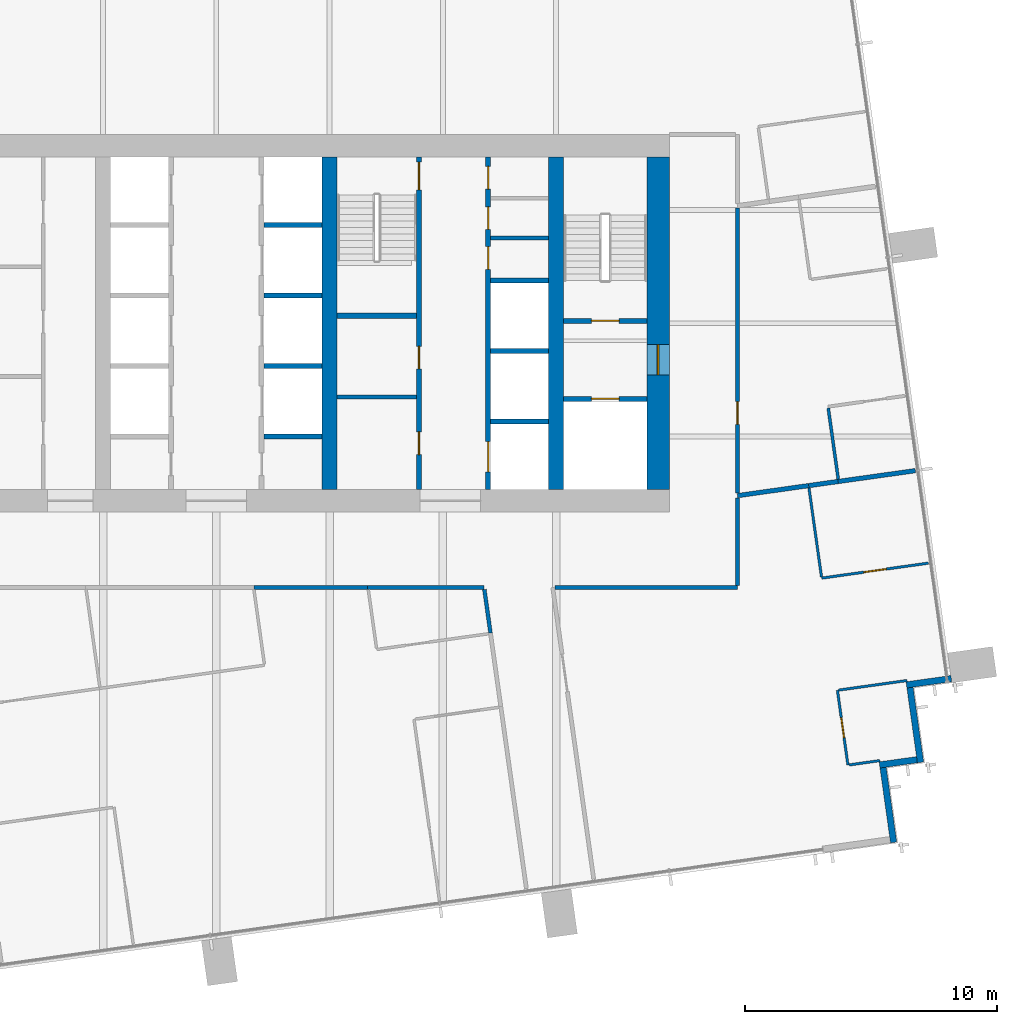
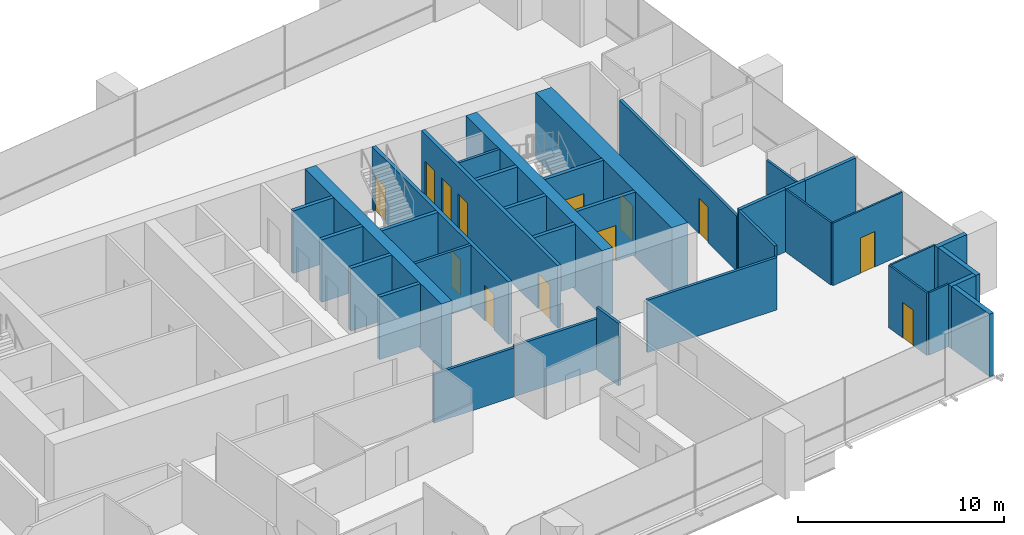
# One storey, part 11 of 14: 36 walls, 13 doors, 13 openings.
"""IFC4 building model written with IfcOpenShell, lengths in metres."""

from ifc_helpers import new_model, si_unit, direction, frame, frame_2d, origin, place, context, subcontext, project, spatial, rectangle, extrude, material, layer, layer_set, type_object, element, fill, save


model = new_model("IFC4")

# Units and contexts
model_context = context("Model", 3, precision=1e-05, world=origin(), true_north=direction((0.0, 1.0)))
body_context = subcontext(model_context, "Body", "Model", "MODEL_VIEW")
ifc_project = project(units=[si_unit("LENGTHUNIT", "METRE"), si_unit("AREAUNIT", "SQUARE_METRE"), si_unit("VOLUMEUNIT", "CUBIC_METRE"), si_unit("PLANEANGLEUNIT", "RADIAN"), si_unit("MASSUNIT", "GRAM", prefix="KILO")], contexts=[model_context])

# Site, building, storey
site_placement = place(None, origin())
site = spatial("IfcSite", under=ifc_project, at=site_placement, CompositionType="ELEMENT")
building_placement = place(site_placement, origin())
building = spatial("IfcBuilding", under=site, at=building_placement, Name="Rattan Terrace Tower", CompositionType="ELEMENT")
storey_placement = place(building_placement, frame((0.0, 0.0, 184.10009765625)))
storey = spatial("IfcBuildingStorey", under=building, at=storey_placement, Name="L42", CompositionType="ELEMENT", Elevation=184.10009765625)

# Walls
ifc_material_1 = material(Name="Gypsum board partition")
ifc_layer_1 = layer(ifc_material_1, 0.14990234375)
ifc_layer_set_1 = layer_set([ifc_layer_1], Name="Core partition 150")
wall_type_1 = type_object("IfcWallType", Name="Core partition 150", PredefinedType="PARTITIONING", material=ifc_layer_set_1)
wall_1_placement = place(storey_placement, frame((4.800048828125, -2.927978515625, 0.0), z_axis=(0.0, 0.0, 1.0), x_axis=(1.0, 0.0, 0.0)))
element("IfcWall", 1, at=wall_1_placement, inside=storey, type_object=wall_type_1, Name="Toilet wall", PredefinedType="PARTITIONING", context=body_context, shape_type="SweptSolid", body=[
    extrude(rectangle(XDim=3.14990234375, YDim=0.14990234375, at=frame_2d((1.574951171875, 0.0))), origin(), (0.0, 0.0, 1.0), 3.699951171875),
])
wall_2_placement = place(storey_placement, frame((10.89990234375, 3.384033203125, 0.0), z_axis=(0.0, 0.0, 1.0), x_axis=(1.0, 0.0, 0.0)))
element("IfcWall", 2, at=wall_2_placement, inside=storey, type_object=wall_type_1, Name="Riser room wall", PredefinedType="PARTITIONING", context=body_context, shape_type="SweptSolid", body=[
    extrude(rectangle(XDim=2.300048828125, YDim=0.14990234375, at=frame_2d((1.14990234375, 0.0))), origin(), (0.0, 0.0, 1.0), 3.699951171875),
])

# Wall, opening, door
ifc_material_2 = material(Name="Gypsum board partition")
ifc_layer_2 = layer(ifc_material_2, 0.199951171875)
ifc_layer_set_2 = layer_set([ifc_layer_2], Name="Core partition 200")
wall_type_2 = type_object("IfcWallType", Name="Core partition 200", PredefinedType="PARTITIONING", material=ifc_layer_set_2)
wall_3_placement = place(storey_placement, frame((13.800048828125, -3.0, 0.0), z_axis=(0.0, 0.0, 1.0), x_axis=(1.0, 0.0, 0.0)))
wall_3 = element("IfcWall", 3, at=wall_3_placement, inside=storey, type_object=wall_type_2, Name="Fire-fighting lobby wall", PredefinedType="PARTITIONING", context=body_context, shape_type="SweptSolid", body=[
    extrude(rectangle(XDim=3.300048828125, YDim=0.199951171875, at=frame_2d((1.64990234375, 0.0))), origin(), (0.0, 0.0, 1.0), 3.699951171875),
])
opening_1_placement = place(wall_3_placement, frame((1.10009765625, 0.0, 0.0)))
opening_1 = element("IfcOpeningElement", 4, at=opening_1_placement, cuts=wall_3, Name="Opening L42-LD-FF2", PredefinedType="OPENING", context=body_context, shape_type="SweptSolid", body=[
    extrude(rectangle(XDim=1.10009765625, YDim=2.10009765625, at=frame_2d((0.550048828125, 1.050048828125))), frame((0.0, 0.110595703125, 0.0), z_axis=(0.0, -1.0, 0.0), x_axis=(1.0, 0.0, 0.0)), (0.0, 0.0, 1.0), 0.220947265625),
])
ifc_material_3 = material(Name="Brushed stainless landing door panel")
door_type_1 = type_object("IfcDoorType", Name="Core lift landing door 1100", OperationType="DOUBLE_DOOR_SLIDING", PredefinedType="DOOR", material=ifc_material_3)
door_1_placement = place(opening_1_placement, origin())
door_1 = element("IfcDoor", 5, at=door_1_placement, inside=storey, type_object=door_type_1, Name="Door L42-LD-FF2", OperationType="DOUBLE_DOOR_SLIDING", OverallHeight=2.10009765625, OverallWidth=1.10009765625, PredefinedType="DOOR", context=body_context, shape_type="SweptSolid", body=[
    extrude(rectangle(XDim=1.10009765625, YDim=2.10009765625, at=frame_2d((0.550048828125, 1.050048828125))), frame((0.0, 0.02490234375, 0.0), z_axis=(0.0, -1.0, 0.0), x_axis=(1.0, 0.0, 0.0)), (0.0, 0.0, 1.0), 0.050048828125),
])
fill(opening_1, door_1)

wall_4_placement = place(storey_placement, frame((13.800048828125, 0.10009765625, 0.0), z_axis=(0.0, 0.0, 1.0), x_axis=(1.0, 0.0, 0.0)))
wall_4 = element("IfcWall", 6, at=wall_4_placement, inside=storey, type_object=wall_type_2, Name="Stair enclosure wall", PredefinedType="PARTITIONING", context=body_context, shape_type="SweptSolid", body=[
    extrude(rectangle(XDim=3.300048828125, YDim=0.199951171875, at=frame_2d((1.64990234375, 0.0))), origin(), (0.0, 0.0, 1.0), 3.699951171875),
])
opening_2_placement = place(wall_4_placement, frame((1.10009765625, 0.0, 0.0)))
opening_2 = element("IfcOpeningElement", 7, at=opening_2_placement, cuts=wall_4, Name="Opening L42-D004", PredefinedType="OPENING", context=body_context, shape_type="SweptSolid", body=[
    extrude(rectangle(XDim=1.10009765625, YDim=2.10009765625, at=frame_2d((0.550048828125, 1.050048828125))), frame((0.0, 0.110595703125, 0.0), z_axis=(0.0, -1.0, 0.0), x_axis=(1.0, 0.0, 0.0)), (0.0, 0.0, 1.0), 0.220947265625),
])
ifc_material_4 = material(Name="Hollow-metal fire door leaf")
door_type_2 = type_object("IfcDoorType", Name="Core stair door 1100", OperationType="NOTDEFINED", PredefinedType="DOOR", material=ifc_material_4)
door_2_placement = place(opening_2_placement, origin())
door_2 = element("IfcDoor", 8, at=door_2_placement, inside=storey, type_object=door_type_2, Name="Door L42-D004", OperationType="SINGLE_SWING_RIGHT", OverallHeight=2.10009765625, OverallWidth=1.10009765625, PredefinedType="DOOR", context=body_context, shape_type="SweptSolid", body=[
    extrude(rectangle(XDim=1.10009765625, YDim=2.10009765625, at=frame_2d((0.550048828125, 1.050048828125))), frame((0.0, 0.02490234375, 0.0), z_axis=(0.0, -1.0, 0.0), x_axis=(1.0, 0.0, 0.0)), (0.0, 0.0, 1.0), 0.050048828125),
])
fill(opening_2, door_2)

# Wall, openings, doors
wall_5_placement = place(storey_placement, frame((8.050048828125, -6.60009765625, 0.0), z_axis=(0.0, 0.0, 1.0), x_axis=(0.0, 1.0, 0.0)))
wall_5 = element("IfcWall", 9, at=wall_5_placement, inside=storey, type_object=wall_type_2, Name="Lobby wall west", PredefinedType="PARTITIONING", context=body_context, shape_type="SweptSolid", body=[
    extrude(rectangle(XDim=13.2001953125, YDim=0.199951171875, at=frame_2d((6.60009765625, 0.0))), origin(), (0.0, 0.0, 1.0), 3.699951171875),
])
opening_3_placement = place(wall_5_placement, frame((1.385986328125, 0.0, 0.0)))
opening_3 = element("IfcOpeningElement", 10, at=opening_3_placement, cuts=wall_5, Name="Opening L42-D012", PredefinedType="OPENING", context=body_context, shape_type="SweptSolid", body=[
    extrude(rectangle(XDim=0.89990234375, YDim=2.10009765625, at=frame_2d((0.449951171875, 1.050048828125))), frame((0.0, 0.110595703125, 0.0), z_axis=(0.0, -1.0, 0.0), x_axis=(1.0, 0.0, 0.0)), (0.0, 0.0, 1.0), 0.220947265625),
])
opening_4_placement = place(wall_5_placement, frame((4.785888671875, 0.0, 0.0)))
opening_4 = element("IfcOpeningElement", 11, at=opening_4_placement, cuts=wall_5, Name="Opening L42-D013", PredefinedType="OPENING", context=body_context, shape_type="SweptSolid", body=[
    extrude(rectangle(XDim=0.89990234375, YDim=2.10009765625, at=frame_2d((0.449951171875, 1.050048828125))), frame((0.0, 0.110595703125, 0.0), z_axis=(0.0, -1.0, 0.0), x_axis=(1.0, 0.0, 0.0)), (0.0, 0.0, 1.0), 0.220947265625),
])
opening_5_placement = place(wall_5_placement, frame((11.89990234375, 0.0, 0.0)))
opening_5 = element("IfcOpeningElement", 12, at=opening_5_placement, cuts=wall_5, Name="Opening L42-D014", PredefinedType="OPENING", context=body_context, shape_type="SweptSolid", body=[
    extrude(rectangle(XDim=1.10009765625, YDim=2.10009765625, at=frame_2d((0.550048828125, 1.050048828125))), frame((0.0, 0.110595703125, 0.0), z_axis=(0.0, -1.0, 0.0), x_axis=(1.0, 0.0, 0.0)), (0.0, 0.0, 1.0), 0.220947265625),
])
door_3_placement = place(opening_5_placement, origin())
door_3 = element("IfcDoor", 13, at=door_3_placement, inside=storey, type_object=door_type_2, Name="Door L42-D014", OperationType="SINGLE_SWING_LEFT", OverallHeight=2.10009765625, OverallWidth=1.10009765625, PredefinedType="DOOR", context=body_context, shape_type="SweptSolid", body=[
    extrude(rectangle(XDim=1.10009765625, YDim=2.10009765625, at=frame_2d((0.550048828125, 1.050048828125))), frame((0.0, 0.02490234375, 0.0), z_axis=(0.0, -1.0, 0.0), x_axis=(1.0, 0.0, 0.0)), (0.0, 0.0, 1.0), 0.050048828125),
])
fill(opening_5, door_3)
ifc_material_5 = material(Name="Hollow-metal fire door leaf")
door_type_3 = type_object("IfcDoorType", Name="Core toilet door 900", OperationType="NOTDEFINED", PredefinedType="DOOR", material=ifc_material_5)
door_4_placement = place(opening_3_placement, origin())
door_4 = element("IfcDoor", 14, at=door_4_placement, inside=storey, type_object=door_type_3, Name="Door L42-D012", OperationType="SINGLE_SWING_LEFT", OverallHeight=2.10009765625, OverallWidth=0.89990234375, PredefinedType="DOOR", context=body_context, shape_type="SweptSolid", body=[
    extrude(rectangle(XDim=0.89990234375, YDim=2.10009765625, at=frame_2d((0.449951171875, 1.050048828125))), frame((0.0, 0.02490234375, 0.0), z_axis=(0.0, -1.0, 0.0), x_axis=(1.0, 0.0, 0.0)), (0.0, 0.0, 1.0), 0.050048828125),
])
fill(opening_3, door_4)
door_5_placement = place(opening_4_placement, origin())
door_5 = element("IfcDoor", 15, at=door_5_placement, inside=storey, type_object=door_type_3, Name="Door L42-D013", OperationType="SINGLE_SWING_RIGHT", OverallHeight=2.10009765625, OverallWidth=0.89990234375, PredefinedType="DOOR", context=body_context, shape_type="SweptSolid", body=[
    extrude(rectangle(XDim=0.89990234375, YDim=2.10009765625, at=frame_2d((0.449951171875, 1.050048828125))), frame((0.0, 0.02490234375, 0.0), z_axis=(0.0, -1.0, 0.0), x_axis=(1.0, 0.0, 0.0)), (0.0, 0.0, 1.0), 0.050048828125),
])
fill(opening_4, door_5)

# Wall
wall_6_placement = place(storey_placement, frame((4.800048828125, 0.300048828125, 0.0), z_axis=(0.0, 0.0, 1.0), x_axis=(1.0, 0.0, 0.0)))
element("IfcWall", 16, at=wall_6_placement, inside=storey, type_object=wall_type_2, Name="Stair enclosure wall", PredefinedType="PARTITIONING", context=body_context, shape_type="SweptSolid", body=[
    extrude(rectangle(XDim=3.14990234375, YDim=0.199951171875, at=frame_2d((1.574951171875, 0.0))), origin(), (0.0, 0.0, 1.0), 3.699951171875),
])

# Wall, opening, door
ifc_material_6 = material(Name="Concrete C60/75", Category="concrete")
ifc_layer_3 = layer(ifc_material_6, 0.89990234375)
ifc_layer_set_3 = layer_set([ifc_layer_3], Name="Core ring wall 900 C60/75")
wall_type_3 = type_object("IfcWallType", Name="Core ring wall 900 C60/75", PredefinedType="SHEAR", material=ifc_layer_set_3)
wall_7_placement = place(storey_placement, frame((17.550048828125, -6.60009765625, -0.2001953125), z_axis=(0.0, 0.0, 1.0), x_axis=(0.0, 1.0, 0.0)))
wall_7 = element("IfcWall", 17, at=wall_7_placement, inside=storey, type_object=wall_type_3, Name="Rear core wall east", PredefinedType="SHEAR", context=body_context, shape_type="SweptSolid", body=[
    extrude(rectangle(XDim=13.2001953125, YDim=0.89990234375, at=frame_2d((6.60009765625, 0.0))), origin(), (0.0, 0.0, 1.0), 3.900146484375),
])
opening_6_placement = place(wall_7_placement, frame((4.550048828125, 0.0, 0.199951171875)))
opening_6 = element("IfcOpeningElement", 18, at=opening_6_placement, cuts=wall_7, Name="Opening L42-D003", PredefinedType="OPENING", context=body_context, shape_type="SweptSolid", body=[
    extrude(rectangle(XDim=1.199951171875, YDim=2.10009765625, at=frame_2d((0.60009765625, 1.050048828125))), frame((0.0, 0.46044921875, 0.0), z_axis=(0.0, -1.0, 0.0), x_axis=(1.0, 0.0, 0.0)), (0.0, 0.0, 1.0), 0.9208984375),
])
ifc_material_7 = material(Name="Hollow-metal fire door leaf")
door_type_4 = type_object("IfcDoorType", Name="Core fire-fighting lobby door 1200", OperationType="NOTDEFINED", PredefinedType="DOOR", material=ifc_material_7)
door_6_placement = place(opening_6_placement, origin())
door_6 = element("IfcDoor", 19, at=door_6_placement, inside=storey, type_object=door_type_4, Name="Door L42-D003", OperationType="SINGLE_SWING_LEFT", OverallHeight=2.10009765625, OverallWidth=1.199951171875, PredefinedType="DOOR", context=body_context, shape_type="SweptSolid", body=[
    extrude(rectangle(XDim=1.199951171875, YDim=2.10009765625, at=frame_2d((0.60009765625, 1.050048828125))), frame((0.0, 0.02490234375, 0.0), z_axis=(0.0, -1.0, 0.0), x_axis=(1.0, 0.0, 0.0)), (0.0, 0.0, 1.0), 0.050048828125),
])
fill(opening_6, door_6)

# Walls
ifc_material_8 = material(Name="Concrete C60/75", Category="concrete")
ifc_layer_4 = layer(ifc_material_8, 0.60009765625)
ifc_layer_set_4 = layer_set([ifc_layer_4], Name="Core spine wall 600 C60/75")
wall_type_4 = type_object("IfcWallType", Name="Core spine wall 600 C60/75", PredefinedType="SHEAR", material=ifc_layer_set_4)
for number, where, z_axis, x_axis, name in (
    (20, (4.5, -6.60009765625, -0.2001953125), (0.0, 0.0, 1.0), (0.0, 1.0, 0.0), "Core spine wall 3"),
    (21, (13.5, -6.60009765625, -0.2001953125), (0.0, 0.0, 1.0), (0.0, 1.0, 0.0), "Core spine wall 4"),
):
    element("IfcWall", number, at=place(storey_placement, frame(where, z_axis=z_axis, x_axis=x_axis)), inside=storey, type_object=wall_type_4, Name=name, PredefinedType="SHEAR", context=body_context, shape_type="SweptSolid", body=[
        extrude(rectangle(XDim=13.2001953125, YDim=0.60009765625, at=frame_2d((6.60009765625, 0.0))), origin(), (0.0, 0.0, 1.0), 3.900146484375),
    ])
ifc_material_9 = material(Name="Insulated aluminium-clad stud wall", Category="aluminium")
ifc_layer_5 = layer(ifc_material_9, 0.25)
ifc_layer_set_5 = layer_set([ifc_layer_5], Name="Facade Riser Wall 250")
wall_type_5 = type_object("IfcWallType", Name="Facade Riser Wall 250", PredefinedType="SOLIDWALL", material=ifc_layer_set_5)
wall_8_placement = place(storey_placement, frame((26.9052734375, -20.6220703125, 0.0), z_axis=(0.0, 0.0, 1.0), x_axis=(-0.139313431826, 0.990248336385, 0.0)))
element("IfcWall", 22, at=wall_8_placement, inside=storey, type_object=wall_type_5, Name="Riser wall L42-2", PredefinedType="SOLIDWALL", context=body_context, shape_type="SweptSolid", body=[
    extrude(rectangle(XDim=3.000244140625, YDim=0.25, at=frame_2d((1.5, 0.0))), origin(), (0.0, 0.0, 1.0), 3.699951171875),
])
wall_9_placement = place(storey_placement, frame((26.34619140625, -17.54443359375, 0.0), z_axis=(0.0, 0.0, 1.0), x_axis=(0.990368090482, 0.13845954411, 0.0)))
element("IfcWall", 23, at=wall_9_placement, inside=storey, type_object=wall_type_5, Name="Riser wall L42-3", PredefinedType="SOLIDWALL", context=body_context, shape_type="SweptSolid", body=[
    extrude(rectangle(XDim=1.50048828125, YDim=0.25, at=frame_2d((0.750244140625, 0.0))), origin(), (0.0, 0.0, 1.0), 3.699951171875),
])
wall_10_placement = place(storey_placement, frame((27.973388671875, -17.443115234375, 0.0), z_axis=(0.0, 0.0, 1.0), x_axis=(-0.139313431826, 0.990248336385, 0.0)))
element("IfcWall", 24, at=wall_10_placement, inside=storey, type_object=wall_type_5, Name="Riser wall L42-4", PredefinedType="SOLIDWALL", context=body_context, shape_type="SweptSolid", body=[
    extrude(rectangle(XDim=3.000244140625, YDim=0.25, at=frame_2d((1.5, 0.0))), origin(), (0.0, 0.0, 1.0), 3.699951171875),
])
wall_11_placement = place(storey_placement, frame((27.414306640625, -14.36572265625, 0.0), z_axis=(0.0, 0.0, 1.0), x_axis=(0.990256286673, 0.139256908998, 0.0)))
element("IfcWall", 25, at=wall_11_placement, inside=storey, type_object=wall_type_5, Name="Riser wall L42-5", PredefinedType="SOLIDWALL", context=body_context, shape_type="SweptSolid", body=[
    extrude(rectangle(XDim=1.800537109375, YDim=0.25, at=frame_2d((0.900390625, 0.0))), origin(), (0.0, 0.0, 1.0), 3.699951171875),
])
ifc_material_10 = material(Name="Double steel stud acoustic partition, gypsum board, mineral wool, fire rated", Category="steel")
ifc_layer_6 = layer(ifc_material_10, 0.179931640625)
ifc_layer_set_6 = layer_set([ifc_layer_6], Name="Floors Acoustic Party Wall 180")
wall_type_6 = type_object("IfcWallType", Name="Floors Acoustic Party Wall 180", PredefinedType="PARTITIONING", material=ifc_layer_set_6)
wall_12_placement = place(storey_placement, frame((20.699951171875, -6.846923828125, 0.0), z_axis=(0.0, 0.0, 1.0), x_axis=(0.990258051292, 0.139244360214, 0.0)))
element("IfcWall", 26, at=wall_12_placement, inside=storey, type_object=wall_type_6, Name="pt-L42-036", PredefinedType="PARTITIONING", context=body_context, shape_type="SweptSolid", body=[
    extrude(rectangle(XDim=2.85791015625, YDim=0.179931640625, at=frame_2d((1.428955078125, 0.0))), origin(), (0.0, 0.0, 1.0), 3.699951171875),
])
wall_13_placement = place(storey_placement, frame((23.530029296875, -6.448974609375, 0.0), z_axis=(0.0, 0.0, 1.0), x_axis=(0.990293977152, 0.138988628372, 0.0)))
element("IfcWall", 27, at=wall_13_placement, inside=storey, type_object=wall_type_6, Name="pt-L42-037", PredefinedType="PARTITIONING", context=body_context, shape_type="SweptSolid", body=[
    extrude(rectangle(XDim=1.180419921875, YDim=0.179931640625, at=frame_2d((0.59033203125, 0.0))), origin(), (0.0, 0.0, 1.0), 3.699951171875),
])
wall_14_placement = place(storey_placement, frame((24.698974609375, -6.284912109375, 0.0), z_axis=(0.0, 0.0, 1.0), x_axis=(0.990293026317, 0.138995402899, 0.0)))
element("IfcWall", 28, at=wall_14_placement, inside=storey, type_object=wall_type_6, Name="pt-L42-038", PredefinedType="PARTITIONING", context=body_context, shape_type="SweptSolid", body=[
    extrude(rectangle(XDim=3.10009765625, YDim=0.179931640625, at=frame_2d((1.550048828125, 0.0))), origin(), (0.0, 0.0, 1.0), 3.699951171875),
])

# Wall, opening, door
ifc_material_11 = material(Name="Gypsum board partition on steel studs", Category="steel")
ifc_layer_7 = layer(ifc_material_11, 0.10009765625)
ifc_layer_set_7 = layer_set([ifc_layer_7], Name="Floors Partition 100")
wall_type_7 = type_object("IfcWallType", Name="Floors Partition 100", PredefinedType="PARTITIONING", material=ifc_layer_set_7)
wall_15_placement = place(storey_placement, frame((24.673095703125, -14.5791015625, 0.0), z_axis=(0.0, 0.0, 1.0), x_axis=(0.138994228812, -0.990293191109, 0.0)))
wall_15 = element("IfcWall", 29, at=wall_15_placement, inside=storey, type_object=wall_type_7, Name="pt-L42-031", PredefinedType="PARTITIONING", context=body_context, shape_type="SweptSolid", body=[
    extrude(rectangle(XDim=3.0, YDim=0.10009765625, at=frame_2d((1.5, 0.0))), origin(), (0.0, 0.0, 1.0), 3.699951171875),
])
opening_7_placement = place(wall_15_placement, frame((1.10009765625, 0.0, 0.0)))
opening_7 = element("IfcOpeningElement", 30, at=opening_7_placement, cuts=wall_15, Name="Opening L42-D104", PredefinedType="OPENING", context=body_context, shape_type="SweptSolid", body=[
    extrude(rectangle(XDim=0.800048828125, YDim=2.10009765625, at=frame_2d((0.39990234375, 1.050048828125))), frame((0.0, 0.060546875, 0.0), z_axis=(0.0, -1.0, 0.0), x_axis=(1.0, 0.0, 0.0)), (0.0, 0.0, 1.0), 0.12109375),
])
ifc_material_12 = material(Name="Solid core timber door, painted", Category="wood")
door_type_5 = type_object("IfcDoorType", Name="Floors Store Door 800x2100", OperationType="NOTDEFINED", PredefinedType="DOOR", material=ifc_material_12)
door_7_placement = place(opening_7_placement, origin())
door_7 = element("IfcDoor", 31, at=door_7_placement, inside=storey, type_object=door_type_5, Name="d-L42-104", OperationType="SINGLE_SWING_LEFT", OverallHeight=2.10009765625, OverallWidth=0.800048828125, PredefinedType="DOOR", context=body_context, shape_type="SweptSolid", body=[
    extrude(rectangle(XDim=0.800048828125, YDim=2.10009765625, at=frame_2d((0.39990234375, 1.050048828125))), frame((0.0, 0.02490234375, 0.0), z_axis=(0.0, -1.0, 0.0), x_axis=(1.0, 0.0, 0.0)), (0.0, 0.0, 1.0), 0.050048828125),
])
fill(opening_7, door_7)

# Walls
wall_16_placement = place(storey_placement, frame((25.139892578125, -17.5439453125, 0.0), z_axis=(0.0, 0.0, 1.0), x_axis=(0.990174663817, 0.139836100968, 0.0)))
element("IfcWall", 32, at=wall_16_placement, inside=storey, type_object=wall_type_7, Name="pt-L42-032", PredefinedType="PARTITIONING", context=body_context, shape_type="SweptSolid", body=[
    extrude(rectangle(XDim=1.22900390625, YDim=0.10009765625, at=frame_2d((0.614501953125, 0.0))), origin(), (0.0, 0.0, 1.0), 3.699951171875),
])
wall_17_placement = place(storey_placement, frame((27.445068359375, -14.18994140625, 0.0), z_axis=(0.0, 0.0, 1.0), x_axis=(-0.990299764824, -0.138947384969, 0.0)))
element("IfcWall", 33, at=wall_17_placement, inside=storey, type_object=wall_type_7, Name="pt-L42-033", PredefinedType="PARTITIONING", context=body_context, shape_type="SweptSolid", body=[
    extrude(rectangle(XDim=2.749755859375, YDim=0.10009765625, at=frame_2d((1.375, 0.0))), origin(), (0.0, 0.0, 1.0), 3.699951171875),
])
wall_18_placement = place(storey_placement, frame((23.5419921875, -6.5380859375, 0.0), z_axis=(0.0, 0.0, 1.0), x_axis=(0.139477964322, -0.990225175134, 0.0)))
element("IfcWall", 34, at=wall_18_placement, inside=storey, type_object=wall_type_7, Name="pt-L42-034", PredefinedType="PARTITIONING", context=body_context, shape_type="SweptSolid", body=[
    extrude(rectangle(XDim=3.57080078125, YDim=0.10009765625, at=frame_2d((1.785400390625, 0.0))), origin(), (0.0, 0.0, 1.0), 3.699951171875),
])

# Wall, opening, door
wall_19_placement = place(storey_placement, frame((24.047119140625, -10.123046875, 0.0), z_axis=(0.0, 0.0, 1.0), x_axis=(0.990283364174, 0.139064224876, 0.0)))
wall_19 = element("IfcWall", 35, at=wall_19_placement, inside=storey, type_object=wall_type_7, Name="pt-L42-035", PredefinedType="PARTITIONING", context=body_context, shape_type="SweptSolid", body=[
    extrude(rectangle(XDim=4.2783203125, YDim=0.10009765625, at=frame_2d((2.13916015625, 0.0))), origin(), (0.0, 0.0, 1.0), 3.699951171875),
])
opening_8_placement = place(wall_19_placement, frame((1.68896484375, 0.0, 0.0)))
opening_8 = element("IfcOpeningElement", 36, at=opening_8_placement, cuts=wall_19, Name="Opening L42-D105", PredefinedType="OPENING", context=body_context, shape_type="SweptSolid", body=[
    extrude(rectangle(XDim=0.89990234375, YDim=2.10009765625, at=frame_2d((0.449951171875, 1.050048828125))), frame((0.0, 0.060546875, 0.0), z_axis=(0.0, -1.0, 0.0), x_axis=(1.0, 0.0, 0.0)), (0.0, 0.0, 1.0), 0.12109375),
])
ifc_material_13 = material(Name="Solid core timber door, painted", Category="wood")
door_type_6 = type_object("IfcDoorType", Name="Floors Door 900x2100", OperationType="NOTDEFINED", PredefinedType="DOOR", material=ifc_material_13)
door_8_placement = place(opening_8_placement, origin())
door_8 = element("IfcDoor", 37, at=door_8_placement, inside=storey, type_object=door_type_6, Name="d-L42-105", OperationType="SINGLE_SWING_RIGHT", OverallHeight=2.10009765625, OverallWidth=0.89990234375, PredefinedType="DOOR", context=body_context, shape_type="SweptSolid", body=[
    extrude(rectangle(XDim=0.89990234375, YDim=2.10009765625, at=frame_2d((0.449951171875, 1.050048828125))), frame((0.0, 0.02490234375, 0.0), z_axis=(0.0, -1.0, 0.0), x_axis=(1.0, 0.0, 0.0)), (0.0, 0.0, 1.0), 0.050048828125),
])
fill(opening_8, door_8)

# Walls
ifc_material_14 = material(Name="Gypsum board partition on steel studs, fire rated", Category="steel")
ifc_layer_8 = layer(ifc_material_14, 0.14990234375)
ifc_layer_set_8 = layer_set([ifc_layer_8], Name="Floors Tenancy Wall 150")
wall_type_8 = type_object("IfcWallType", Name="Floors Tenancy Wall 150", PredefinedType="PARTITIONING", material=ifc_layer_set_8)
wall_20_placement = place(storey_placement, frame((20.699951171875, -10.5, 0.0), z_axis=(0.0, 0.0, 1.0), x_axis=(-1.0, 0.0, 0.0)))
element("IfcWall", 38, at=wall_20_placement, inside=storey, type_object=wall_type_8, Name="pt-L42-005", PredefinedType="PARTITIONING", context=body_context, shape_type="SweptSolid", body=[
    extrude(rectangle(XDim=7.2509765625, YDim=0.14990234375, at=frame_2d((3.62548828125, 0.0))), origin(), (0.0, 0.0, 1.0), 3.099853515625),
])
wall_21_placement = place(storey_placement, frame((20.699951171875, -6.93603515625, 0.0), z_axis=(0.0, 0.0, 1.0), x_axis=(0.0, -1.0, 0.0)))
element("IfcWall", 39, at=wall_21_placement, inside=storey, type_object=wall_type_8, Name="pt-L42-006", PredefinedType="PARTITIONING", context=body_context, shape_type="SweptSolid", body=[
    extrude(rectangle(XDim=3.489013671875, YDim=0.14990234375, at=frame_2d((1.74462890625, 0.0))), origin(), (0.0, 0.0, 1.0), 3.699951171875),
])

# Wall, opening, door
wall_22_placement = place(storey_placement, frame((20.699951171875, 4.575927734375, 0.0), z_axis=(0.0, 0.0, 1.0), x_axis=(0.0, -1.0, 0.0)))
wall_22 = element("IfcWall", 40, at=wall_22_placement, inside=storey, type_object=wall_type_8, Name="pt-L42-010", PredefinedType="PARTITIONING", context=body_context, shape_type="SweptSolid", body=[
    extrude(rectangle(XDim=11.322021484375, YDim=0.14990234375, at=frame_2d((5.6611328125, 0.0))), origin(), (0.0, 0.0, 1.0), 3.25),
])
opening_9_placement = place(wall_22_placement, frame((7.69091796875, 0.0, 0.0)))
opening_9 = element("IfcOpeningElement", 41, at=opening_9_placement, cuts=wall_22, Name="Opening L42-D107", PredefinedType="OPENING", context=body_context, shape_type="SweptSolid", body=[
    extrude(rectangle(XDim=0.89990234375, YDim=2.10009765625, at=frame_2d((0.449951171875, 1.050048828125))), frame((0.0, 0.08544921875, 0.0), z_axis=(0.0, -1.0, 0.0), x_axis=(1.0, 0.0, 0.0)), (0.0, 0.0, 1.0), 0.1708984375),
])
ifc_material_15 = material(Name="Steel fire door set", Category="steel")
door_type_7 = type_object("IfcDoorType", Name="Floors Fire Door FD30S 900x2100", OperationType="NOTDEFINED", PredefinedType="DOOR", material=ifc_material_15)
door_9_placement = place(opening_9_placement, origin())
door_9 = element("IfcDoor", 42, at=door_9_placement, inside=storey, type_object=door_type_7, Name="d-L42-107", OperationType="SINGLE_SWING_RIGHT", OverallHeight=2.10009765625, OverallWidth=0.89990234375, PredefinedType="DOOR", context=body_context, shape_type="SweptSolid", body=[
    extrude(rectangle(XDim=0.89990234375, YDim=2.10009765625, at=frame_2d((0.449951171875, 1.050048828125))), frame((0.0, 0.02490234375, 0.0), z_axis=(0.0, -1.0, 0.0), x_axis=(1.0, 0.0, 0.0)), (0.0, 0.0, 1.0), 0.050048828125),
])
fill(opening_9, door_9)

# Walls
wall_23_placement = place(storey_placement, frame((6.006103515625, -10.5, 0.0), z_axis=(0.0, 0.0, 1.0), x_axis=(-1.0, 0.0, 0.0)))
element("IfcWall", 43, at=wall_23_placement, inside=storey, type_object=wall_type_8, Name="pt-L42-016", PredefinedType="PARTITIONING", context=body_context, shape_type="SweptSolid", body=[
    extrude(rectangle(XDim=4.504150390625, YDim=0.14990234375, at=frame_2d((2.251953125, 0.0))), origin(), (0.0, 0.0, 1.0), 2.89990234375),
])
wall_24_placement = place(storey_placement, frame((10.636962890625, -10.5, 0.0), z_axis=(0.0, 0.0, 1.0), x_axis=(-1.0, 0.0, 0.0)))
element("IfcWall", 44, at=wall_24_placement, inside=storey, type_object=wall_type_8, Name="pt-L42-023", PredefinedType="PARTITIONING", context=body_context, shape_type="SweptSolid", body=[
    extrude(rectangle(XDim=4.630859375, YDim=0.14990234375, at=frame_2d((2.3154296875, 0.0))), origin(), (0.0, 0.0, 1.0), 3.0),
])
wall_25_placement = place(storey_placement, frame((10.89111328125, -12.301025390625, 0.0), z_axis=(0.0, 0.0, 1.0), x_axis=(-0.139344862723, 0.990243914009, 0.0)))
element("IfcWall", 45, at=wall_25_placement, inside=storey, type_object=wall_type_8, Name="pt-L42-024", PredefinedType="PARTITIONING", context=body_context, shape_type="SweptSolid", body=[
    extrude(rectangle(XDim=1.7451171875, YDim=0.14990234375, at=frame_2d((0.87255859375, 0.0))), origin(), (0.0, 0.0, 1.0), 3.699951171875),
])
ifc_material_16 = material(Name="Moisture resistant gypsum board partition on steel studs with service cavity", Category="steel")
ifc_layer_9 = layer(ifc_material_16, 0.1201171875)
ifc_layer_set_9 = layer_set([ifc_layer_9], Name="Floors Wet Wall 120")
wall_type_9 = type_object("IfcWallType", Name="Floors Wet Wall 120", PredefinedType="PARTITIONING", material=ifc_layer_set_9)
wall_26_placement = place(storey_placement, frame((24.30908203125, -3.37109375, 0.0), z_axis=(0.0, 0.0, 1.0), x_axis=(0.139298147854, -0.990250486495, 0.0)))
element("IfcWall", 46, at=wall_26_placement, inside=storey, type_object=wall_type_9, Name="pt-L42-040", PredefinedType="PARTITIONING", context=body_context, shape_type="SweptSolid", body=[
    extrude(rectangle(XDim=2.849853515625, YDim=0.1201171875, at=frame_2d((1.4248046875, 0.0))), origin(), (0.0, 0.0, 1.0), 3.25),
])
ifc_material_17 = material(Name="Gypsum shaft wall system")
ifc_layer_10 = layer(ifc_material_17, 0.199951171875)
ifc_layer_set_10 = layer_set([ifc_layer_10], Name="Lift shaft wall 200")
wall_type_10 = type_object("IfcWallType", Name="Lift shaft wall 200", PredefinedType="PARTITIONING", material=ifc_layer_set_10)
for number, where, z_axis, x_axis, name in (
    (47, (1.89990234375, -1.699951171875, 0.0), (0.0, 0.0, 1.0), (1.0, 0.0, 0.0), "Lift shaft wall"),
    (48, (1.89990234375, 1.10009765625, 0.0), (0.0, 0.0, 1.0), (1.0, 0.0, 0.0), "Lift shaft wall"),
    (49, (1.89990234375, 3.89990234375, 0.0), (0.0, 0.0, 1.0), (1.0, 0.0, 0.0), "Lift shaft wall"),
    (50, (1.89990234375, -4.5, 0.0), (0.0, 0.0, 1.0), (1.0, 0.0, 0.0), "Lift shaft wall"),
):
    element("IfcWall", number, at=place(storey_placement, frame(where, z_axis=z_axis, x_axis=x_axis)), inside=storey, type_object=wall_type_10, Name=name, PredefinedType="PARTITIONING", context=body_context, shape_type="SweptSolid", body=[
        extrude(rectangle(XDim=2.300048828125, YDim=0.199951171875, at=frame_2d((1.14990234375, 0.0))), origin(), (0.0, 0.0, 1.0), 3.699951171875),
    ])

# Wall, openings, doors
wall_27_placement = place(storey_placement, frame((10.800048828125, -6.60009765625, 0.0), z_axis=(0.0, 0.0, 1.0), x_axis=(0.0, 1.0, 0.0)))
wall_27 = element("IfcWall", 51, at=wall_27_placement, inside=storey, type_object=wall_type_10, Name="Lift shaft front wall", PredefinedType="PARTITIONING", context=body_context, shape_type="SweptSolid", body=[
    extrude(rectangle(XDim=13.2001953125, YDim=0.199951171875, at=frame_2d((6.60009765625, 0.0))), origin(), (0.0, 0.0, 1.0), 3.699951171875),
])
opening_10_placement = place(wall_27_placement, frame((0.699951171875, 0.0, 0.0)))
opening_10 = element("IfcOpeningElement", 52, at=opening_10_placement, cuts=wall_27, Name="Opening L42-LD-SV1", PredefinedType="OPENING", context=body_context, shape_type="SweptSolid", body=[
    extrude(rectangle(XDim=1.199951171875, YDim=2.10009765625, at=frame_2d((0.60009765625, 1.050048828125))), frame((0.0, 0.110595703125, 0.0), z_axis=(0.0, -1.0, 0.0), x_axis=(1.0, 0.0, 0.0)), (0.0, 0.0, 1.0), 0.220947265625),
])
opening_11_placement = place(wall_27_placement, frame((8.741943359375, 0.0, 0.0)))
opening_11 = element("IfcOpeningElement", 53, at=opening_11_placement, cuts=wall_27, Name="Opening L42-D016", PredefinedType="OPENING", context=body_context, shape_type="SweptSolid", body=[
    extrude(rectangle(XDim=0.89990234375, YDim=2.10009765625, at=frame_2d((0.449951171875, 1.050048828125))), frame((0.0, 0.110595703125, 0.0), z_axis=(0.0, -1.0, 0.0), x_axis=(1.0, 0.0, 0.0)), (0.0, 0.0, 1.0), 0.220947265625),
])
opening_12_placement = place(wall_27_placement, frame((10.325927734375, 0.0, 0.0)))
opening_12 = element("IfcOpeningElement", 54, at=opening_12_placement, cuts=wall_27, Name="Opening L42-D017", PredefinedType="OPENING", context=body_context, shape_type="SweptSolid", body=[
    extrude(rectangle(XDim=0.89990234375, YDim=2.10009765625, at=frame_2d((0.449951171875, 1.050048828125))), frame((0.0, 0.110595703125, 0.0), z_axis=(0.0, -1.0, 0.0), x_axis=(1.0, 0.0, 0.0)), (0.0, 0.0, 1.0), 0.220947265625),
])
opening_13_placement = place(wall_27_placement, frame((11.93408203125, 0.0, 0.0)))
opening_13 = element("IfcOpeningElement", 55, at=opening_13_placement, cuts=wall_27, Name="Opening L42-D018", PredefinedType="OPENING", context=body_context, shape_type="SweptSolid", body=[
    extrude(rectangle(XDim=0.89990234375, YDim=2.10009765625, at=frame_2d((0.449951171875, 1.050048828125))), frame((0.0, 0.110595703125, 0.0), z_axis=(0.0, -1.0, 0.0), x_axis=(1.0, 0.0, 0.0)), (0.0, 0.0, 1.0), 0.220947265625),
])
ifc_material_18 = material(Name="Brushed stainless landing door panel")
door_type_8 = type_object("IfcDoorType", Name="Core lift landing door 1200", OperationType="DOUBLE_DOOR_SLIDING", PredefinedType="DOOR", material=ifc_material_18)
door_10_placement = place(opening_10_placement, origin())
door_10 = element("IfcDoor", 56, at=door_10_placement, inside=storey, type_object=door_type_8, Name="Door L42-LD-SV1", OperationType="DOUBLE_DOOR_SLIDING", OverallHeight=2.10009765625, OverallWidth=1.199951171875, PredefinedType="DOOR", context=body_context, shape_type="SweptSolid", body=[
    extrude(rectangle(XDim=1.199951171875, YDim=2.10009765625, at=frame_2d((0.60009765625, 1.050048828125))), frame((0.0, 0.02490234375, 0.0), z_axis=(0.0, -1.0, 0.0), x_axis=(1.0, 0.0, 0.0)), (0.0, 0.0, 1.0), 0.050048828125),
])
fill(opening_10, door_10)
ifc_material_19 = material(Name="Hollow-metal fire door leaf")
door_type_9 = type_object("IfcDoorType", Name="Core riser door 900", OperationType="NOTDEFINED", PredefinedType="DOOR", material=ifc_material_19)
door_11_placement = place(opening_11_placement, origin())
door_11 = element("IfcDoor", 57, at=door_11_placement, inside=storey, type_object=door_type_9, Name="Door L42-D016", OperationType="SINGLE_SWING_RIGHT", OverallHeight=2.10009765625, OverallWidth=0.89990234375, PredefinedType="DOOR", context=body_context, shape_type="SweptSolid", body=[
    extrude(rectangle(XDim=0.89990234375, YDim=2.10009765625, at=frame_2d((0.449951171875, 1.050048828125))), frame((0.0, 0.02490234375, 0.0), z_axis=(0.0, -1.0, 0.0), x_axis=(1.0, 0.0, 0.0)), (0.0, 0.0, 1.0), 0.050048828125),
])
fill(opening_11, door_11)
door_12_placement = place(opening_12_placement, origin())
door_12 = element("IfcDoor", 58, at=door_12_placement, inside=storey, type_object=door_type_9, Name="Door L42-D017", OperationType="SINGLE_SWING_LEFT", OverallHeight=2.10009765625, OverallWidth=0.89990234375, PredefinedType="DOOR", context=body_context, shape_type="SweptSolid", body=[
    extrude(rectangle(XDim=0.89990234375, YDim=2.10009765625, at=frame_2d((0.449951171875, 1.050048828125))), frame((0.0, 0.02490234375, 0.0), z_axis=(0.0, -1.0, 0.0), x_axis=(1.0, 0.0, 0.0)), (0.0, 0.0, 1.0), 0.050048828125),
])
fill(opening_12, door_12)
ifc_material_20 = material(Name="Hollow-metal fire door leaf")
door_type_10 = type_object("IfcDoorType", Name="Core service room door 900", OperationType="NOTDEFINED", PredefinedType="DOOR", material=ifc_material_20)
door_13_placement = place(opening_13_placement, origin())
door_13 = element("IfcDoor", 59, at=door_13_placement, inside=storey, type_object=door_type_10, Name="Door L42-D018", OperationType="SINGLE_SWING_RIGHT", OverallHeight=2.10009765625, OverallWidth=0.89990234375, PredefinedType="DOOR", context=body_context, shape_type="SweptSolid", body=[
    extrude(rectangle(XDim=0.89990234375, YDim=2.10009765625, at=frame_2d((0.449951171875, 1.050048828125))), frame((0.0, 0.02490234375, 0.0), z_axis=(0.0, -1.0, 0.0), x_axis=(1.0, 0.0, 0.0)), (0.0, 0.0, 1.0), 0.050048828125),
])
fill(opening_13, door_13)

# Walls
for number, where, z_axis, x_axis, name in (
    (60, (10.89990234375, -3.89990234375, 0.0), (0.0, 0.0, 1.0), (1.0, 0.0, 0.0), "Lift shaft wall"),
    (61, (10.89990234375, -1.10009765625, 0.0), (0.0, 0.0, 1.0), (1.0, 0.0, 0.0), "Lift shaft wall"),
    (62, (10.89990234375, 1.699951171875, 0.0), (0.0, 0.0, 1.0), (1.0, 0.0, 0.0), "Lift shaft wall"),
):
    element("IfcWall", number, at=place(storey_placement, frame(where, z_axis=z_axis, x_axis=x_axis)), inside=storey, type_object=wall_type_10, Name=name, PredefinedType="PARTITIONING", context=body_context, shape_type="SweptSolid", body=[
        extrude(rectangle(XDim=2.300048828125, YDim=0.199951171875, at=frame_2d((1.14990234375, 0.0))), origin(), (0.0, 0.0, 1.0), 3.699951171875),
    ])

save(model, "model.ifc")
